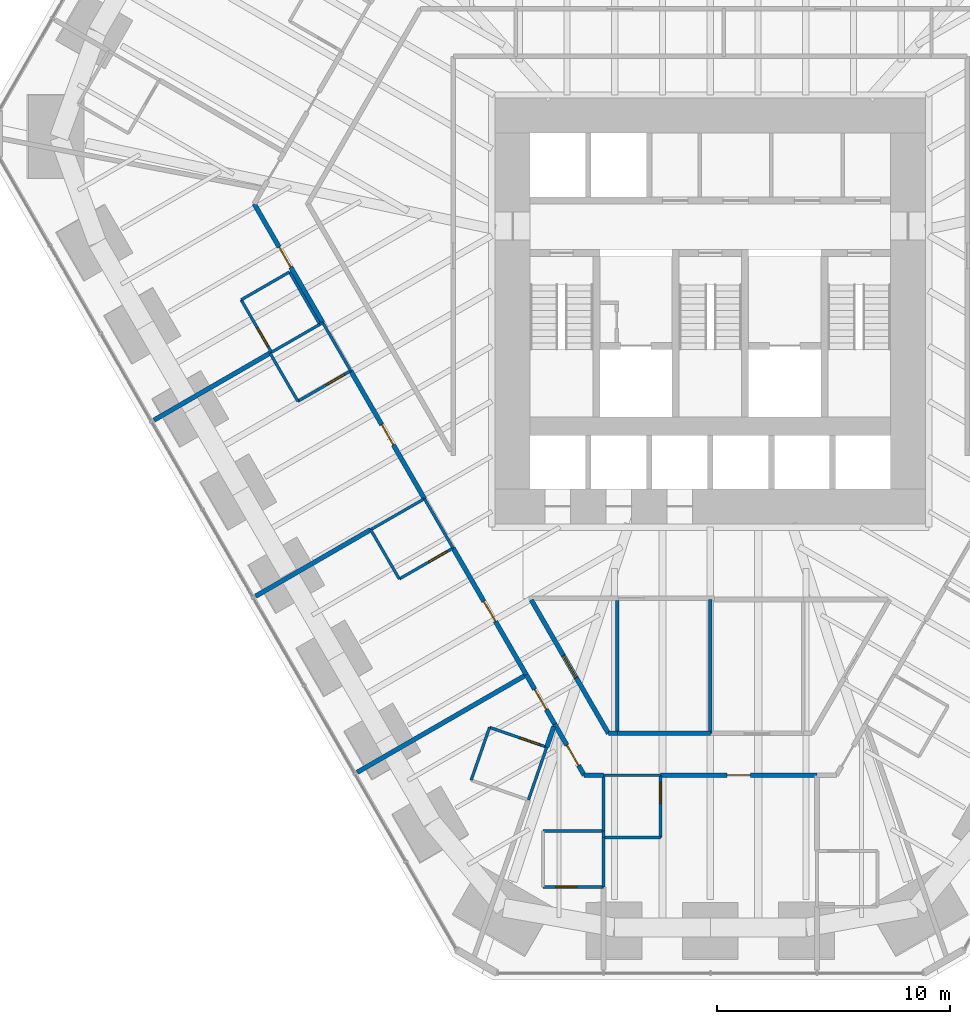
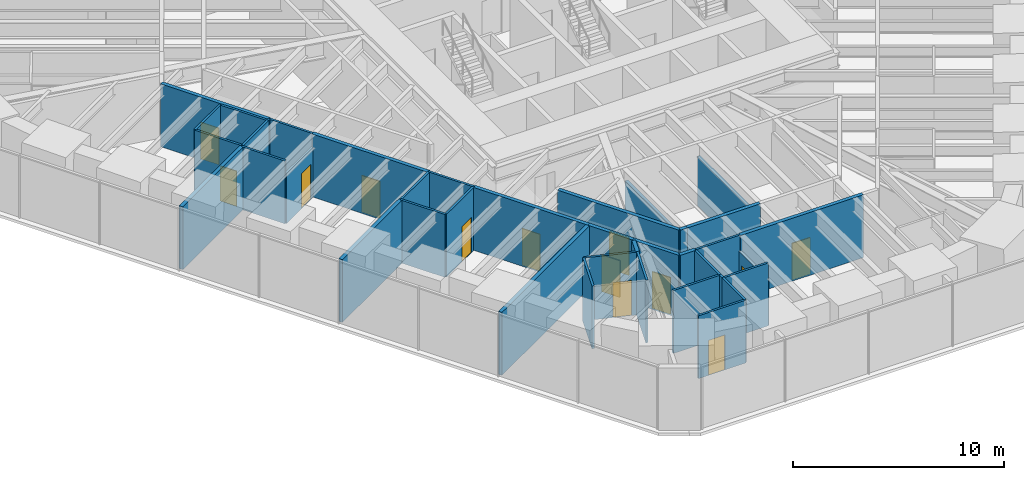
# One storey, part 11 of 17: 39 walls, 13 doors, 13 openings.
"""IFC4 building model written with IfcOpenShell, lengths in metres."""

from ifc_helpers import new_model, si_unit, direction, frame, frame_2d, origin, place, context, subcontext, project, spatial, rectangle, extrude, material, layer, layer_set, type_object, element, fill, save


model = new_model("IFC4")

# Units and contexts
model_context = context("Model", 3, precision=1e-05, world=origin(), true_north=direction((0.0, 1.0)))
body_context = subcontext(model_context, "Body", "Model", "MODEL_VIEW")
ifc_project = project(units=[si_unit("LENGTHUNIT", "METRE"), si_unit("AREAUNIT", "SQUARE_METRE"), si_unit("VOLUMEUNIT", "CUBIC_METRE"), si_unit("PLANEANGLEUNIT", "RADIAN"), si_unit("MASSUNIT", "GRAM", prefix="KILO")], contexts=[model_context])

# Site, building, storey
site_placement = place(None, origin())
site = spatial("IfcSite", under=ifc_project, at=site_placement, CompositionType="ELEMENT")
building_placement = place(site_placement, origin())
building = spatial("IfcBuilding", under=site, at=building_placement, Name="Sandreach Pilgrim Tower", CompositionType="ELEMENT")
storey_placement = place(building_placement, frame((0.0, 0.0, 68.60009765625)))
storey = spatial("IfcBuildingStorey", under=building, at=storey_placement, Name="L16", CompositionType="ELEMENT", Elevation=68.60009765625)

# Walls
ifc_material_1 = material(Name="Gypsum board on steel studs", Category="steel")
ifc_layer_1 = layer(ifc_material_1, 0.14990234375)
ifc_layer_set_1 = layer_set([ifc_layer_1], Name="Back of house wall 150")
wall_type_1 = type_object("IfcWallType", Name="Back of house wall 150", PredefinedType="PARTITIONING", material=ifc_layer_set_1)
wall_1_placement = place(storey_placement, frame((-4.0, -14.0, 0.0), z_axis=(0.0, 0.0, 1.0), x_axis=(0.0, -1.0, 0.0)))
element("IfcWall", 1, at=wall_1_placement, inside=storey, type_object=wall_type_1, Name="Back of house wall L16-078", PredefinedType="PARTITIONING", context=body_context, shape_type="SweptSolid", body=[
    extrude(rectangle(XDim=5.7099609375, YDim=0.14990234375, at=frame_2d((2.85498046875, 0.0))), origin(), (0.0, 0.0, 1.0), 2.8779296875),
])
wall_2_placement = place(storey_placement, frame((0.0, -13.949951171875, 0.0), z_axis=(0.0, 0.0, 1.0), x_axis=(0.0, -1.0, 0.0)))
element("IfcWall", 2, at=wall_2_placement, inside=storey, type_object=wall_type_1, Name="Back of house wall L16-086", PredefinedType="PARTITIONING", context=body_context, shape_type="SweptSolid", body=[
    extrude(rectangle(XDim=5.760009765625, YDim=0.14990234375, at=frame_2d((2.8798828125, 0.0))), origin(), (0.0, 0.0, 1.0), 2.860107421875),
])

# Wall, opening, door
ifc_material_2 = material(Name="Moisture-resistant gypsum board on steel studs", Category="steel")
ifc_layer_2 = layer(ifc_material_2, 0.1201171875)
ifc_layer_set_2 = layer_set([ifc_layer_2], Name="Bathroom partition 120")
wall_type_2 = type_object("IfcWallType", Name="Bathroom partition 120", PredefinedType="PARTITIONING", material=ifc_layer_set_2)
wall_3_placement = place(storey_placement, frame((-20.169921875, -1.070068359375, 0.0), z_axis=(0.0, 0.0, 1.0), x_axis=(0.500291685314, -0.865856933682, 0.0)))
wall_3 = element("IfcWall", 3, at=wall_3_placement, inside=storey, type_object=wall_type_2, Name="Bathroom partition L16-011", PredefinedType="PARTITIONING", context=body_context, shape_type="SweptSolid", body=[
    extrude(rectangle(XDim=2.5986328125, YDim=0.1201171875, at=frame_2d((1.29931640625, 0.0))), origin(), (0.0, 0.0, 1.0), 3.639892578125),
])
opening_1_placement = place(wall_3_placement, frame((1.398681640625, 0.0, 0.0)))
opening_1 = element("IfcOpeningElement", 4, at=opening_1_placement, cuts=wall_3, Name="Opening D09-17B", PredefinedType="OPENING", context=body_context, shape_type="SweptSolid", body=[
    extrude(rectangle(XDim=0.89990234375, YDim=2.030029296875, at=frame_2d((0.449951171875, 1.01513671875))), frame((0.0, 0.06005859375, 0.0), z_axis=(0.0, -1.0, 0.0), x_axis=(1.0, 0.0, 0.0)), (0.0, 0.0, 1.0), 0.1201171875),
])
ifc_material_3 = material(Name="Timber door, steel frame", Category="steel")
door_type_1 = type_object("IfcDoorType", Name="Bathroom door", OperationType="SINGLE_SWING_LEFT", PredefinedType="DOOR", material=ifc_material_3)
door_1_placement = place(opening_1_placement, origin())
door_1 = element("IfcDoor", 5, at=door_1_placement, inside=storey, type_object=door_type_1, Name="Door 1617B", OperationType="SINGLE_SWING_RIGHT", OverallHeight=2.030029296875, OverallWidth=0.89990234375, PredefinedType="DOOR", context=body_context, shape_type="SweptSolid", body=[
    extrude(rectangle(XDim=0.89990234375, YDim=2.030029296875, at=frame_2d((0.449951171875, 1.01513671875))), frame((0.0, 0.02490234375, 0.0), z_axis=(0.0, -1.0, 0.0), x_axis=(1.0, 0.0, 0.0)), (0.0, 0.0, 1.0), 0.050048828125),
])
fill(opening_1, door_1)

# Walls
wall_4_placement = place(storey_placement, frame((-18.929931640625, -3.360107421875, 0.0), z_axis=(0.0, 0.0, 1.0), x_axis=(0.501547039172, -0.865130376012, 0.0)))
element("IfcWall", 6, at=wall_4_placement, inside=storey, type_object=wall_type_2, Name="Bathroom partition L16-015", PredefinedType="PARTITIONING", context=body_context, shape_type="SweptSolid", body=[
    extrude(rectangle(XDim=2.392578125, YDim=0.1201171875, at=frame_2d((1.1962890625, 0.0))), origin(), (0.0, 0.0, 1.0), 3.639892578125),
])
wall_5_placement = place(storey_placement, frame((-18.86767578125, -3.323974609375, 0.0), z_axis=(0.0, 0.0, 1.0), x_axis=(0.866133109688, 0.499813401482, 0.0)))
element("IfcWall", 7, at=wall_5_placement, inside=storey, type_object=wall_type_2, Name="Bathroom partition L16-016", PredefinedType="PARTITIONING", context=body_context, shape_type="SweptSolid", body=[
    extrude(rectangle(XDim=2.4013671875, YDim=0.1201171875, at=frame_2d((1.20068359375, 0.0))), origin(), (0.0, 0.0, 1.0), 3.639892578125),
])
wall_6_placement = place(storey_placement, frame((-18.090087890625, 0.1298828125, 0.0), z_axis=(0.0, 0.0, 1.0), x_axis=(-0.866177122335, -0.499737123639, 0.0)))
element("IfcWall", 8, at=wall_6_placement, inside=storey, type_object=wall_type_2, Name="Bathroom partition L16-019", PredefinedType="PARTITIONING", context=body_context, shape_type="SweptSolid", body=[
    extrude(rectangle(XDim=2.401123046875, YDim=0.1201171875, at=frame_2d((1.20068359375, 0.0))), origin(), (0.0, 0.0, 1.0), 3.639892578125),
])

# Wall, opening, door
wall_7_placement = place(storey_placement, frame((-17.72998046875, -5.429931640625, 0.0), z_axis=(0.0, 0.0, 1.0), x_axis=(0.866114241029, 0.499846097802, 0.0)))
wall_7 = element("IfcWall", 9, at=wall_7_placement, inside=storey, type_object=wall_type_2, Name="Bathroom partition L16-021", PredefinedType="PARTITIONING", context=body_context, shape_type="SweptSolid", body=[
    extrude(rectangle(XDim=2.620849609375, YDim=0.1201171875, at=frame_2d((1.310546875, 0.0))), origin(), (0.0, 0.0, 1.0), 2.8779296875),
])
opening_2_placement = place(wall_7_placement, frame((1.4208984375, 0.0, 0.0)))
opening_2 = element("IfcOpeningElement", 10, at=opening_2_placement, cuts=wall_7, Name="Opening D09-16B", PredefinedType="OPENING", context=body_context, shape_type="SweptSolid", body=[
    extrude(rectangle(XDim=0.89990234375, YDim=2.030029296875, at=frame_2d((0.449951171875, 1.01513671875))), frame((0.0, 0.06005859375, 0.0), z_axis=(0.0, -1.0, 0.0), x_axis=(1.0, 0.0, 0.0)), (0.0, 0.0, 1.0), 0.1201171875),
])
door_2_placement = place(opening_2_placement, origin())
door_2 = element("IfcDoor", 11, at=door_2_placement, inside=storey, type_object=door_type_1, Name="Door 1616B", OperationType="SINGLE_SWING_RIGHT", OverallHeight=2.030029296875, OverallWidth=0.89990234375, PredefinedType="DOOR", context=body_context, shape_type="SweptSolid", body=[
    extrude(rectangle(XDim=0.89990234375, YDim=2.030029296875, at=frame_2d((0.449951171875, 1.01513671875))), frame((0.0, 0.02490234375, 0.0), z_axis=(0.0, -1.0, 0.0), x_axis=(1.0, 0.0, 0.0)), (0.0, 0.0, 1.0), 0.050048828125),
])
fill(opening_2, door_2)

# Walls
wall_8_placement = place(storey_placement, frame((-16.7900390625, -2.1201171875, 0.0), z_axis=(0.0, 0.0, 1.0), x_axis=(-0.50025099007, 0.865880446098, 0.0)))
element("IfcWall", 12, at=wall_8_placement, inside=storey, type_object=wall_type_2, Name="Bathroom partition L16-026", PredefinedType="PARTITIONING", context=body_context, shape_type="SweptSolid", body=[
    extrude(rectangle(XDim=2.598876953125, YDim=0.1201171875, at=frame_2d((1.29931640625, 0.0))), origin(), (0.0, 0.0, 1.0), 3.639892578125),
])
wall_9_placement = place(storey_placement, frame((-16.787841796875, -2.123779296875, 0.0), z_axis=(0.0, 0.0, 1.0), x_axis=(0.866405716731, 0.499340699338, 0.0)))
element("IfcWall", 13, at=wall_9_placement, inside=storey, type_object=wall_type_2, Name="Bathroom partition L16-027", PredefinedType="PARTITIONING", context=body_context, shape_type="SweptSolid", body=[
    extrude(rectangle(XDim=0.147705078125, YDim=0.1201171875, at=frame_2d((0.07373046875, 0.0))), origin(), (0.0, 0.0, 1.0), 3.639892578125),
])
wall_10_placement = place(storey_placement, frame((-16.659912109375, -2.050048828125, 0.0), z_axis=(0.0, 0.0, 1.0), x_axis=(0.501502765098, -0.865156041763, 0.0)))
element("IfcWall", 14, at=wall_10_placement, inside=storey, type_object=wall_type_2, Name="Bathroom partition L16-028", PredefinedType="PARTITIONING", context=body_context, shape_type="SweptSolid", body=[
    extrude(rectangle(XDim=2.392822265625, YDim=0.1201171875, at=frame_2d((1.1962890625, 0.0))), origin(), (0.0, 0.0, 1.0), 3.639892578125),
])
wall_11_placement = place(storey_placement, frame((-14.60009765625, -10.949951171875, 0.0), z_axis=(0.0, 0.0, 1.0), x_axis=(0.501888006485, -0.864932615264, 0.0)))
element("IfcWall", 15, at=wall_11_placement, inside=storey, type_object=wall_type_2, Name="Bathroom partition L16-036", PredefinedType="PARTITIONING", context=body_context, shape_type="SweptSolid", body=[
    extrude(rectangle(XDim=2.451171875, YDim=0.1201171875, at=frame_2d((1.2255859375, 0.0))), origin(), (0.0, 0.0, 1.0), 3.639892578125),
])
wall_12_placement = place(storey_placement, frame((-14.60009765625, -10.949951171875, 0.0), z_axis=(0.0, 0.0, 1.0), x_axis=(0.866654860089, 0.498908161372, 0.0)))
element("IfcWall", 16, at=wall_12_placement, inside=storey, type_object=wall_type_2, Name="Bathroom partition L16-037", PredefinedType="PARTITIONING", context=body_context, shape_type="SweptSolid", body=[
    extrude(rectangle(XDim=2.66552734375, YDim=0.1201171875, at=frame_2d((1.332763671875, 0.0))), origin(), (0.0, 0.0, 1.0), 3.639892578125),
])

# Wall, opening, door
wall_13_placement = place(storey_placement, frame((-13.3701171875, -13.070068359375, 0.0), z_axis=(0.0, 0.0, 1.0), x_axis=(0.866615255992, 0.498976951453, 0.0)))
wall_13 = element("IfcWall", 17, at=wall_13_placement, inside=storey, type_object=wall_type_2, Name="Bathroom partition L16-040", PredefinedType="PARTITIONING", context=body_context, shape_type="SweptSolid", body=[
    extrude(rectangle(XDim=2.66552734375, YDim=0.1201171875, at=frame_2d((1.332763671875, 0.0))), origin(), (0.0, 0.0, 1.0), 3.639892578125),
])
opening_3_placement = place(wall_13_placement, frame((1.465576171875, 0.0, 0.0)))
opening_3 = element("IfcOpeningElement", 18, at=opening_3_placement, cuts=wall_13, Name="Opening D09-15B", PredefinedType="OPENING", context=body_context, shape_type="SweptSolid", body=[
    extrude(rectangle(XDim=0.89990234375, YDim=2.030029296875, at=frame_2d((0.449951171875, 1.01513671875))), frame((0.0, 0.06005859375, 0.0), z_axis=(0.0, -1.0, 0.0), x_axis=(1.0, 0.0, 0.0)), (0.0, 0.0, 1.0), 0.1201171875),
])
door_3_placement = place(opening_3_placement, origin())
door_3 = element("IfcDoor", 19, at=door_3_placement, inside=storey, type_object=door_type_1, Name="Door 1615B", OperationType="SINGLE_SWING_RIGHT", OverallHeight=2.030029296875, OverallWidth=0.89990234375, PredefinedType="DOOR", context=body_context, shape_type="SweptSolid", body=[
    extrude(rectangle(XDim=0.89990234375, YDim=2.030029296875, at=frame_2d((0.449951171875, 1.01513671875))), frame((0.0, 0.02490234375, 0.0), z_axis=(0.0, -1.0, 0.0), x_axis=(1.0, 0.0, 0.0)), (0.0, 0.0, 1.0), 0.050048828125),
])
fill(opening_3, door_3)

# Walls
wall_14_placement = place(storey_placement, frame((-12.290283203125, -9.6201171875, 0.0), z_axis=(0.0, 0.0, 1.0), x_axis=(0.501931246184, -0.864907523441, 0.0)))
element("IfcWall", 20, at=wall_14_placement, inside=storey, type_object=wall_type_2, Name="Bathroom partition L16-044", PredefinedType="PARTITIONING", context=body_context, shape_type="SweptSolid", body=[
    extrude(rectangle(XDim=2.450927734375, YDim=0.1201171875, at=frame_2d((1.2255859375, 0.0))), origin(), (0.0, 0.0, 1.0), 3.639892578125),
])
for number, where, z_axis, x_axis, name in (
    (21, (-9.489990234375, -19.449951171875, 0.0), (0.0, 0.0, 1.0), (-0.328693963496, -0.944436487203, 0.0), "Bathroom partition L16-053"),
    (22, (-7.820068359375, -22.570068359375, 0.0), (0.0, 0.0, 1.0), (0.328693963496, 0.944436487203, 0.0), "Bathroom partition L16-060"),
):
    element("IfcWall", number, at=place(storey_placement, frame(where, z_axis=z_axis, x_axis=x_axis)), inside=storey, type_object=wall_type_2, Name=name, PredefinedType="PARTITIONING", context=body_context, shape_type="SweptSolid", body=[
        extrude(rectangle(XDim=2.403564453125, YDim=0.1201171875, at=frame_2d((1.20166015625, 0.0))), origin(), (0.0, 0.0, 1.0), 3.639892578125),
    ])

# Wall, opening, door
wall_15_placement = place(storey_placement, frame((-7.18994140625, -26.31005859375, 0.0), z_axis=(0.0, 0.0, 1.0), x_axis=(1.0, 0.0, 0.0)))
wall_15 = element("IfcWall", 23, at=wall_15_placement, inside=storey, type_object=wall_type_2, Name="Bathroom partition L16-061", PredefinedType="PARTITIONING", context=body_context, shape_type="SweptSolid", body=[
    extrude(rectangle(XDim=2.599853515625, YDim=0.1201171875, at=frame_2d((1.2998046875, 0.0))), origin(), (0.0, 0.0, 1.0), 3.639892578125),
])
opening_4_placement = place(wall_15_placement, frame((0.550048828125, 0.0, 0.0)))
opening_4 = element("IfcOpeningElement", 24, at=opening_4_placement, cuts=wall_15, Name="Opening D09-13B", PredefinedType="OPENING", context=body_context, shape_type="SweptSolid", body=[
    extrude(rectangle(XDim=0.89990234375, YDim=2.030029296875, at=frame_2d((0.449951171875, 1.01513671875))), frame((0.0, 0.06005859375, 0.0), z_axis=(0.0, -1.0, 0.0), x_axis=(1.0, 0.0, 0.0)), (0.0, 0.0, 1.0), 0.1201171875),
])
door_4_placement = place(opening_4_placement, origin())
door_4 = element("IfcDoor", 25, at=door_4_placement, inside=storey, type_object=door_type_1, Name="Door 1613B", OperationType="SINGLE_SWING_LEFT", OverallHeight=2.030029296875, OverallWidth=0.89990234375, PredefinedType="DOOR", context=body_context, shape_type="SweptSolid", body=[
    extrude(rectangle(XDim=0.89990234375, YDim=2.030029296875, at=frame_2d((0.449951171875, 1.01513671875))), frame((0.0, 0.02490234375, 0.0), z_axis=(0.0, -1.0, 0.0), x_axis=(1.0, 0.0, 0.0)), (0.0, 0.0, 1.0), 0.050048828125),
])
fill(opening_4, door_4)

wall_16_placement = place(storey_placement, frame((-7.030029296875, -20.300048828125, 0.0), z_axis=(0.0, 0.0, 1.0), x_axis=(-0.94515546045, 0.326620813149, 0.0)))
wall_16 = element("IfcWall", 26, at=wall_16_placement, inside=storey, type_object=wall_type_2, Name="Bathroom partition L16-063", PredefinedType="PARTITIONING", context=body_context, shape_type="SweptSolid", body=[
    extrude(rectangle(XDim=2.602783203125, YDim=0.1201171875, at=frame_2d((1.30126953125, 0.0))), origin(), (0.0, 0.0, 1.0), 3.639892578125),
])
opening_5_placement = place(wall_16_placement, frame((0.300048828125, 0.0, 0.0)))
opening_5 = element("IfcOpeningElement", 27, at=opening_5_placement, cuts=wall_16, Name="Opening D09-14B", PredefinedType="OPENING", context=body_context, shape_type="SweptSolid", body=[
    extrude(rectangle(XDim=0.89990234375, YDim=2.030029296875, at=frame_2d((0.449951171875, 1.01513671875))), frame((0.0, 0.06005859375, 0.0), z_axis=(0.0, -1.0, 0.0), x_axis=(1.0, 0.0, 0.0)), (0.0, 0.0, 1.0), 0.1201171875),
])
door_5_placement = place(opening_5_placement, origin())
door_5 = element("IfcDoor", 28, at=door_5_placement, inside=storey, type_object=door_type_1, Name="Door 1614B", OperationType="SINGLE_SWING_LEFT", OverallHeight=2.030029296875, OverallWidth=0.89990234375, PredefinedType="DOOR", context=body_context, shape_type="SweptSolid", body=[
    extrude(rectangle(XDim=0.89990234375, YDim=2.030029296875, at=frame_2d((0.449951171875, 1.01513671875))), frame((0.0, 0.02490234375, 0.0), z_axis=(0.0, -1.0, 0.0), x_axis=(1.0, 0.0, 0.0)), (0.0, 0.0, 1.0), 0.050048828125),
])
fill(opening_5, door_5)

# Walls
wall_17_placement = place(storey_placement, frame((-4.590087890625, -26.31005859375, 0.0), z_axis=(0.0, 0.0, 1.0), x_axis=(0.0, 1.0, 0.0)))
element("IfcWall", 29, at=wall_17_placement, inside=storey, type_object=wall_type_2, Name="Bathroom partition L16-070", PredefinedType="PARTITIONING", context=body_context, shape_type="SweptSolid", body=[
    extrude(rectangle(XDim=2.130126953125, YDim=0.1201171875, at=frame_2d((1.06494140625, 0.0))), origin(), (0.0, 0.0, 1.0), 3.639892578125),
])
wall_18_placement = place(storey_placement, frame((-4.590087890625, -24.179931640625, 0.0), z_axis=(0.0, 0.0, 1.0), x_axis=(0.0, 1.0, 0.0)))
element("IfcWall", 30, at=wall_18_placement, inside=storey, type_object=wall_type_2, Name="Bathroom partition L16-071", PredefinedType="PARTITIONING", context=body_context, shape_type="SweptSolid", body=[
    extrude(rectangle(XDim=0.27001953125, YDim=0.1201171875, at=frame_2d((0.135009765625, 0.0))), origin(), (0.0, 0.0, 1.0), 3.639892578125),
])
wall_19_placement = place(storey_placement, frame((-4.590087890625, -24.179931640625, 0.0), z_axis=(0.0, 0.0, 1.0), x_axis=(1.0, 0.0, 0.0)))
element("IfcWall", 31, at=wall_19_placement, inside=storey, type_object=wall_type_2, Name="Bathroom partition L16-072", PredefinedType="PARTITIONING", context=body_context, shape_type="SweptSolid", body=[
    extrude(rectangle(XDim=2.4501953125, YDim=0.1201171875, at=frame_2d((1.22509765625, 0.0))), origin(), (0.0, 0.0, 1.0), 3.639892578125),
])
wall_20_placement = place(storey_placement, frame((-4.590087890625, -23.909912109375, 0.0), z_axis=(0.0, 0.0, 1.0), x_axis=(-1.0, 0.0, 0.0)))
element("IfcWall", 32, at=wall_20_placement, inside=storey, type_object=wall_type_2, Name="Bathroom partition L16-073", PredefinedType="PARTITIONING", context=body_context, shape_type="SweptSolid", body=[
    extrude(rectangle(XDim=2.599853515625, YDim=0.1201171875, at=frame_2d((1.2998046875, 0.0))), origin(), (0.0, 0.0, 1.0), 3.639892578125),
])
wall_21_placement = place(storey_placement, frame((-4.590087890625, -23.909912109375, 0.0), z_axis=(0.0, 0.0, 1.0), x_axis=(0.0, 1.0, 0.0)))
element("IfcWall", 33, at=wall_21_placement, inside=storey, type_object=wall_type_2, Name="Bathroom partition L16-074", PredefinedType="PARTITIONING", context=body_context, shape_type="SweptSolid", body=[
    extrude(rectangle(XDim=2.39990234375, YDim=0.1201171875, at=frame_2d((1.199951171875, 0.0))), origin(), (0.0, 0.0, 1.0), 3.639892578125),
])
wall_22_placement = place(storey_placement, frame((-4.590087890625, -21.510009765625, 0.0), z_axis=(0.0, 0.0, 1.0), x_axis=(1.0, 0.0, 0.0)))
element("IfcWall", 34, at=wall_22_placement, inside=storey, type_object=wall_type_2, Name="Bathroom partition L16-075", PredefinedType="PARTITIONING", context=body_context, shape_type="SweptSolid", body=[
    extrude(rectangle(XDim=2.4501953125, YDim=0.1201171875, at=frame_2d((1.22509765625, 0.0))), origin(), (0.0, 0.0, 1.0), 3.639892578125),
])

# Wall, opening, door
wall_23_placement = place(storey_placement, frame((-2.139892578125, -24.179931640625, 0.0), z_axis=(0.0, 0.0, 1.0), x_axis=(0.0, 1.0, 0.0)))
wall_23 = element("IfcWall", 35, at=wall_23_placement, inside=storey, type_object=wall_type_2, Name="Bathroom partition L16-083", PredefinedType="PARTITIONING", context=body_context, shape_type="SweptSolid", body=[
    extrude(rectangle(XDim=2.669921875, YDim=0.1201171875, at=frame_2d((1.3349609375, 0.0))), origin(), (0.0, 0.0, 1.0), 2.7255859375),
])
opening_6_placement = place(wall_23_placement, frame((1.469970703125, 0.0, 0.0)))
opening_6 = element("IfcOpeningElement", 36, at=opening_6_placement, cuts=wall_23, Name="Opening D09-12B", PredefinedType="OPENING", context=body_context, shape_type="SweptSolid", body=[
    extrude(rectangle(XDim=0.89990234375, YDim=2.030029296875, at=frame_2d((0.449951171875, 1.01513671875))), frame((0.0, 0.06005859375, 0.0), z_axis=(0.0, -1.0, 0.0), x_axis=(1.0, 0.0, 0.0)), (0.0, 0.0, 1.0), 0.1201171875),
])
door_6_placement = place(opening_6_placement, origin())
door_6 = element("IfcDoor", 37, at=door_6_placement, inside=storey, type_object=door_type_1, Name="Door 1612B", OperationType="SINGLE_SWING_RIGHT", OverallHeight=2.030029296875, OverallWidth=0.89990234375, PredefinedType="DOOR", context=body_context, shape_type="SweptSolid", body=[
    extrude(rectangle(XDim=0.89990234375, YDim=2.030029296875, at=frame_2d((0.449951171875, 1.01513671875))), frame((0.0, 0.02490234375, 0.0), z_axis=(0.0, -1.0, 0.0), x_axis=(1.0, 0.0, 0.0)), (0.0, 0.0, 1.0), 0.050048828125),
])
fill(opening_6, door_6)

ifc_material_4 = material(Name="Gypsum board on steel studs, two layers each side", Category="steel")
ifc_layer_3 = layer(ifc_material_4, 0.199951171875)
ifc_layer_set_3 = layer_set([ifc_layer_3], Name="Corridor wall 200")
wall_type_3 = type_object("IfcWallType", Name="Corridor wall 200", PredefinedType="PARTITIONING", material=ifc_layer_set_3)
wall_24_placement = place(storey_placement, frame((-19.610107421875, 3.06005859375, 0.0), z_axis=(0.0, 0.0, 1.0), x_axis=(0.499983910424, -0.866034692906, 0.0)))
wall_24 = element("IfcWall", 38, at=wall_24_placement, inside=storey, type_object=wall_type_3, Name="Corridor wall L16-013", PredefinedType="PARTITIONING", context=body_context, shape_type="SweptSolid", body=[
    extrude(rectangle(XDim=5.900634765625, YDim=0.199951171875, at=frame_2d((2.9501953125, 0.0))), origin(), (0.0, 0.0, 1.0), 3.639892578125),
])
opening_7_placement = place(wall_24_placement, frame((2.14990234375, 0.0, 0.0)))
opening_7 = element("IfcOpeningElement", 39, at=opening_7_placement, cuts=wall_24, Name="Opening D10-17", PredefinedType="OPENING", context=body_context, shape_type="SweptSolid", body=[
    extrude(rectangle(XDim=1.0, YDim=2.1298828125, at=frame_2d((0.5, 1.06494140625))), frame((0.0, 0.10009765625, 0.0), z_axis=(0.0, -1.0, 0.0), x_axis=(1.0, 0.0, 0.0)), (0.0, 0.0, 1.0), 0.199951171875),
])
ifc_material_5 = material(Name="Steel door and frame", Category="steel")
door_type_2 = type_object("IfcDoorType", Name="Guest room entry door", OperationType="SINGLE_SWING_LEFT", PredefinedType="DOOR", material=ifc_material_5)
door_7_placement = place(opening_7_placement, origin())
door_7 = element("IfcDoor", 40, at=door_7_placement, inside=storey, type_object=door_type_2, Name="Door 1617", OperationType="SINGLE_SWING_LEFT", OverallHeight=2.1298828125, OverallWidth=1.0, PredefinedType="DOOR", context=body_context, shape_type="SweptSolid", body=[
    extrude(rectangle(XDim=1.0, YDim=2.1298828125, at=frame_2d((0.5, 1.06494140625))), frame((0.0, 0.02490234375, 0.0), z_axis=(0.0, -1.0, 0.0), x_axis=(1.0, 0.0, 0.0)), (0.0, 0.0, 1.0), 0.050048828125),
])
fill(opening_7, door_7)

wall_25_placement = place(storey_placement, frame((-15.4599609375, -4.1201171875, 0.0), z_axis=(0.0, 0.0, 1.0), x_axis=(0.499320644457, -0.866417274769, 0.0)))
wall_25 = element("IfcWall", 41, at=wall_25_placement, inside=storey, type_object=wall_type_3, Name="Corridor wall L16-033", PredefinedType="PARTITIONING", context=body_context, shape_type="SweptSolid", body=[
    extrude(rectangle(XDim=6.347900390625, YDim=0.199951171875, at=frame_2d((3.173828125, 0.0))), origin(), (0.0, 0.0, 1.0), 3.639892578125),
])
opening_8_placement = place(wall_25_placement, frame((2.674072265625, 0.0, 0.0)))
opening_8 = element("IfcOpeningElement", 42, at=opening_8_placement, cuts=wall_25, Name="Opening D10-16", PredefinedType="OPENING", context=body_context, shape_type="SweptSolid", body=[
    extrude(rectangle(XDim=1.0, YDim=2.1298828125, at=frame_2d((0.5, 1.06494140625))), frame((0.0, 0.10009765625, 0.0), z_axis=(0.0, -1.0, 0.0), x_axis=(1.0, 0.0, 0.0)), (0.0, 0.0, 1.0), 0.199951171875),
])
door_8_placement = place(opening_8_placement, origin())
door_8 = element("IfcDoor", 43, at=door_8_placement, inside=storey, type_object=door_type_2, Name="Door 1616", OperationType="SINGLE_SWING_LEFT", OverallHeight=2.1298828125, OverallWidth=1.0, PredefinedType="DOOR", context=body_context, shape_type="SweptSolid", body=[
    extrude(rectangle(XDim=1.0, YDim=2.1298828125, at=frame_2d((0.5, 1.06494140625))), frame((0.0, 0.02490234375, 0.0), z_axis=(0.0, -1.0, 0.0), x_axis=(1.0, 0.0, 0.0)), (0.0, 0.0, 1.0), 0.050048828125),
])
fill(opening_8, door_8)

wall_26_placement = place(storey_placement, frame((-11.06005859375, -11.739990234375, 0.0), z_axis=(0.0, 0.0, 1.0), x_axis=(0.50043073037, -0.865776578628, 0.0)))
wall_26 = element("IfcWall", 44, at=wall_26_placement, inside=storey, type_object=wall_type_3, Name="Corridor wall L16-048", PredefinedType="PARTITIONING", context=body_context, shape_type="SweptSolid", body=[
    extrude(rectangle(XDim=6.294921875, YDim=0.199951171875, at=frame_2d((3.1474609375, 0.0))), origin(), (0.0, 0.0, 1.0), 3.639892578125),
])
opening_9_placement = place(wall_26_placement, frame((2.6474609375, 0.0, 0.0)))
opening_9 = element("IfcOpeningElement", 45, at=opening_9_placement, cuts=wall_26, Name="Opening D10-15", PredefinedType="OPENING", context=body_context, shape_type="SweptSolid", body=[
    extrude(rectangle(XDim=1.0, YDim=2.1298828125, at=frame_2d((0.5, 1.06494140625))), frame((0.0, 0.10009765625, 0.0), z_axis=(0.0, -1.0, 0.0), x_axis=(1.0, 0.0, 0.0)), (0.0, 0.0, 1.0), 0.199951171875),
])
door_9_placement = place(opening_9_placement, origin())
door_9 = element("IfcDoor", 46, at=door_9_placement, inside=storey, type_object=door_type_2, Name="Door 1615", OperationType="SINGLE_SWING_LEFT", OverallHeight=2.1298828125, OverallWidth=1.0, PredefinedType="DOOR", context=body_context, shape_type="SweptSolid", body=[
    extrude(rectangle(XDim=1.0, YDim=2.1298828125, at=frame_2d((0.5, 1.06494140625))), frame((0.0, 0.02490234375, 0.0), z_axis=(0.0, -1.0, 0.0), x_axis=(1.0, 0.0, 0.0)), (0.0, 0.0, 1.0), 0.050048828125),
])
fill(opening_9, door_9)

wall_27_placement = place(storey_placement, frame((-7.909912109375, -17.18994140625, 0.0), z_axis=(0.0, 0.0, 1.0), x_axis=(0.498748634132, -0.866746675766, 0.0)))
wall_27 = element("IfcWall", 47, at=wall_27_placement, inside=storey, type_object=wall_type_3, Name="Corridor wall L16-059", PredefinedType="PARTITIONING", context=body_context, shape_type="SweptSolid", body=[
    extrude(rectangle(XDim=2.446044921875, YDim=0.199951171875, at=frame_2d((1.22314453125, 0.0))), origin(), (0.0, 0.0, 1.0), 3.639892578125),
])
opening_10_placement = place(wall_27_placement, frame((0.722900390625, 0.0, 0.0)))
opening_10 = element("IfcOpeningElement", 48, at=opening_10_placement, cuts=wall_27, Name="Opening D10-14", PredefinedType="OPENING", context=body_context, shape_type="SweptSolid", body=[
    extrude(rectangle(XDim=1.0, YDim=2.1298828125, at=frame_2d((0.5, 1.06494140625))), frame((0.0, 0.10009765625, 0.0), z_axis=(0.0, -1.0, 0.0), x_axis=(1.0, 0.0, 0.0)), (0.0, 0.0, 1.0), 0.199951171875),
])
door_10_placement = place(opening_10_placement, origin())
door_10 = element("IfcDoor", 49, at=door_10_placement, inside=storey, type_object=door_type_2, Name="Door 1614", OperationType="SINGLE_SWING_LEFT", OverallHeight=2.1298828125, OverallWidth=1.0, PredefinedType="DOOR", context=body_context, shape_type="SweptSolid", body=[
    extrude(rectangle(XDim=1.0, YDim=2.1298828125, at=frame_2d((0.5, 1.06494140625))), frame((0.0, 0.02490234375, 0.0), z_axis=(0.0, -1.0, 0.0), x_axis=(1.0, 0.0, 0.0)), (0.0, 0.0, 1.0), 0.050048828125),
])
fill(opening_10, door_10)

wall_28_placement = place(storey_placement, frame((-6.68994140625, -19.31005859375, 0.0), z_axis=(0.0, 0.0, 1.0), x_axis=(0.499963722229, -0.866046347752, 0.0)))
wall_28 = element("IfcWall", 50, at=wall_28_placement, inside=storey, type_object=wall_type_3, Name="Corridor wall L16-065", PredefinedType="PARTITIONING", context=body_context, shape_type="SweptSolid", body=[
    extrude(rectangle(XDim=2.540283203125, YDim=0.199951171875, at=frame_2d((1.27001953125, 0.0))), origin(), (0.0, 0.0, 1.0), 3.639892578125),
])
opening_11_placement = place(wall_28_placement, frame((1.050048828125, 0.0, 0.0)))
opening_11 = element("IfcOpeningElement", 51, at=opening_11_placement, cuts=wall_28, Name="Opening D10-13", PredefinedType="OPENING", context=body_context, shape_type="SweptSolid", body=[
    extrude(rectangle(XDim=1.0, YDim=2.1298828125, at=frame_2d((0.5, 1.06494140625))), frame((0.0, 0.10009765625, 0.0), z_axis=(0.0, -1.0, 0.0), x_axis=(1.0, 0.0, 0.0)), (0.0, 0.0, 1.0), 0.199951171875),
])
door_11_placement = place(opening_11_placement, origin())
door_11 = element("IfcDoor", 52, at=door_11_placement, inside=storey, type_object=door_type_2, Name="Door 1613", OperationType="SINGLE_SWING_RIGHT", OverallHeight=2.1298828125, OverallWidth=1.0, PredefinedType="DOOR", context=body_context, shape_type="SweptSolid", body=[
    extrude(rectangle(XDim=1.0, YDim=2.1298828125, at=frame_2d((0.5, 1.06494140625))), frame((0.0, 0.02490234375, 0.0), z_axis=(0.0, -1.0, 0.0), x_axis=(1.0, 0.0, 0.0)), (0.0, 0.0, 1.0), 0.050048828125),
])
fill(opening_11, door_11)

# Wall
wall_29_placement = place(storey_placement, frame((-5.419921875, -21.510009765625, 0.0), z_axis=(0.0, 0.0, 1.0), x_axis=(1.0, 0.0, 0.0)))
element("IfcWall", 53, at=wall_29_placement, inside=storey, type_object=wall_type_3, Name="Corridor wall L16-066", PredefinedType="PARTITIONING", context=body_context, shape_type="SweptSolid", body=[
    extrude(rectangle(XDim=0.829833984375, YDim=0.199951171875, at=frame_2d((0.4150390625, 0.0))), origin(), (0.0, 0.0, 1.0), 3.639892578125),
])

# Wall, opening, door
wall_30_placement = place(storey_placement, frame((-4.3798828125, -19.7099609375, 0.0), z_axis=(0.0, 0.0, 1.0), x_axis=(-0.500523653757, 0.865722860984, 0.0)))
wall_30 = element("IfcWall", 54, at=wall_30_placement, inside=storey, type_object=wall_type_3, Name="Corridor wall L16-076", PredefinedType="PARTITIONING", context=body_context, shape_type="SweptSolid", body=[
    extrude(rectangle(XDim=6.62841796875, YDim=0.199951171875, at=frame_2d((3.314208984375, 0.0))), origin(), (0.0, 0.0, 1.0), 3.639892578125),
])
opening_12_placement = place(wall_30_placement, frame((2.76416015625, 0.0, 0.0)))
opening_12 = element("IfcOpeningElement", 55, at=opening_12_placement, cuts=wall_30, Name="Opening D11H-S1", PredefinedType="OPENING", context=body_context, shape_type="SweptSolid", body=[
    extrude(rectangle(XDim=1.10009765625, YDim=2.199951171875, at=frame_2d((0.550048828125, 1.10009765625))), frame((0.0, 0.10009765625, 0.0), z_axis=(0.0, -1.0, 0.0), x_axis=(1.0, 0.0, 0.0)), (0.0, 0.0, 1.0), 0.199951171875),
])
ifc_material_6 = material(Name="Steel door and frame", Category="steel")
door_type_3 = type_object("IfcDoorType", Name="Back of house door", OperationType="SINGLE_SWING_LEFT", PredefinedType="DOOR", material=ifc_material_6)
door_12_placement = place(opening_12_placement, origin())
door_12 = element("IfcDoor", 56, at=door_12_placement, inside=storey, type_object=door_type_3, Name="Door 16S1", OperationType="SINGLE_SWING_LEFT", OverallHeight=2.199951171875, OverallWidth=1.10009765625, PredefinedType="DOOR", context=body_context, shape_type="SweptSolid", body=[
    extrude(rectangle(XDim=1.10009765625, YDim=2.199951171875, at=frame_2d((0.550048828125, 1.10009765625))), frame((0.0, 0.02490234375, 0.0), z_axis=(0.0, -1.0, 0.0), x_axis=(1.0, 0.0, 0.0)), (0.0, 0.0, 1.0), 0.050048828125),
])
fill(opening_12, door_12)

# Wall
wall_31_placement = place(storey_placement, frame((-4.0, -19.7099609375, 0.0), z_axis=(0.0, 0.0, 1.0), x_axis=(-1.0, 0.0, 0.0)))
element("IfcWall", 57, at=wall_31_placement, inside=storey, type_object=wall_type_3, Name="Corridor wall L16-077", PredefinedType="PARTITIONING", context=body_context, shape_type="SweptSolid", body=[
    extrude(rectangle(XDim=0.3798828125, YDim=0.199951171875, at=frame_2d((0.18994140625, 0.0))), origin(), (0.0, 0.0, 1.0), 3.639892578125),
])

# Wall, opening, door
wall_32_placement = place(storey_placement, frame((-2.139892578125, -21.510009765625, 0.0), z_axis=(0.0, 0.0, 1.0), x_axis=(1.0, 0.0, 0.0)))
wall_32 = element("IfcWall", 58, at=wall_32_placement, inside=storey, type_object=wall_type_3, Name="Corridor wall L16-084", PredefinedType="PARTITIONING", context=body_context, shape_type="SweptSolid", body=[
    extrude(rectangle(XDim=6.72998046875, YDim=0.199951171875, at=frame_2d((3.364990234375, 0.0))), origin(), (0.0, 0.0, 1.0), 3.639892578125),
])
opening_13_placement = place(wall_32_placement, frame((2.864990234375, 0.0, 0.0)))
opening_13 = element("IfcOpeningElement", 59, at=opening_13_placement, cuts=wall_32, Name="Opening D10-12", PredefinedType="OPENING", context=body_context, shape_type="SweptSolid", body=[
    extrude(rectangle(XDim=1.0, YDim=2.1298828125, at=frame_2d((0.5, 1.06494140625))), frame((0.0, 0.10009765625, 0.0), z_axis=(0.0, -1.0, 0.0), x_axis=(1.0, 0.0, 0.0)), (0.0, 0.0, 1.0), 0.199951171875),
])
door_13_placement = place(opening_13_placement, origin())
door_13 = element("IfcDoor", 60, at=door_13_placement, inside=storey, type_object=door_type_2, Name="Door 1612", OperationType="SINGLE_SWING_LEFT", OverallHeight=2.1298828125, OverallWidth=1.0, PredefinedType="DOOR", context=body_context, shape_type="SweptSolid", body=[
    extrude(rectangle(XDim=1.0, YDim=2.1298828125, at=frame_2d((0.5, 1.06494140625))), frame((0.0, 0.02490234375, 0.0), z_axis=(0.0, -1.0, 0.0), x_axis=(1.0, 0.0, 0.0)), (0.0, 0.0, 1.0), 0.050048828125),
])
fill(opening_13, door_13)

# Walls
wall_33_placement = place(storey_placement, frame((0.0, -19.7099609375, 0.0), z_axis=(0.0, 0.0, 1.0), x_axis=(-1.0, 0.0, 0.0)))
element("IfcWall", 61, at=wall_33_placement, inside=storey, type_object=wall_type_3, Name="Corridor wall L16-085", PredefinedType="PARTITIONING", context=body_context, shape_type="SweptSolid", body=[
    extrude(rectangle(XDim=4.0, YDim=0.199951171875, at=frame_2d((2.0, 0.0))), origin(), (0.0, 0.0, 1.0), 3.639892578125),
])
ifc_material_7 = material(Name="Double steel stud acoustic wall, gypsum board", Category="steel")
ifc_layer_4 = layer(ifc_material_7, 0.199951171875)
ifc_layer_set_4 = layer_set([ifc_layer_4], Name="Party wall 200")
wall_type_4 = type_object("IfcWallType", Name="Party wall 200", PredefinedType="PARTITIONING", material=ifc_layer_set_4)
wall_34_placement = place(storey_placement, frame((-23.916015625, -6.239990234375, 0.0), z_axis=(0.0, 0.0, 1.0), x_axis=(0.865919350456, 0.50018364478, 0.0)))
element("IfcWall", 62, at=wall_34_placement, inside=storey, type_object=wall_type_4, Name="Party wall L16-008", PredefinedType="PARTITIONING", context=body_context, shape_type="SweptSolid", body=[
    extrude(rectangle(XDim=5.758056640625, YDim=0.199951171875, at=frame_2d((2.87890625, 0.0))), origin(), (0.0, 0.0, 1.0), 3.639892578125),
])
wall_35_placement = place(storey_placement, frame((-19.546142578125, -13.809814453125, 0.0), z_axis=(0.0, 0.0, 1.0), x_axis=(0.865702137343, 0.500559496364, 0.0)))
element("IfcWall", 63, at=wall_35_placement, inside=storey, type_object=wall_type_4, Name="Party wall L16-014", PredefinedType="PARTITIONING", context=body_context, shape_type="SweptSolid", body=[
    extrude(rectangle(XDim=5.71337890625, YDim=0.199951171875, at=frame_2d((2.856689453125, 0.0))), origin(), (0.0, 0.0, 1.0), 3.639892578125),
])
wall_36_placement = place(storey_placement, frame((-15.176025390625, -21.380126953125, 0.0), z_axis=(0.0, 0.0, 1.0), x_axis=(0.866276837306, 0.49956425127, 0.0)))
element("IfcWall", 64, at=wall_36_placement, inside=storey, type_object=wall_type_4, Name="Party wall L16-034", PredefinedType="PARTITIONING", context=body_context, shape_type="SweptSolid", body=[
    extrude(rectangle(XDim=8.37255859375, YDim=0.199951171875, at=frame_2d((4.186279296875, 0.0))), origin(), (0.0, 0.0, 1.0), 3.639892578125),
])
wall_37_placement = place(storey_placement, frame((-7.030029296875, -20.300048828125, 0.0), z_axis=(0.0, 0.0, 1.0), x_axis=(0.324737408014, 0.94580421644, 0.0)))
element("IfcWall", 65, at=wall_37_placement, inside=storey, type_object=wall_type_4, Name="Party wall L16-064", PredefinedType="PARTITIONING", context=body_context, shape_type="SweptSolid", body=[
    extrude(rectangle(XDim=0.936767578125, YDim=0.199951171875, at=frame_2d((0.46826171875, 0.0))), origin(), (0.0, 0.0, 1.0), 3.639892578125),
])

save(model, "model.ifc")
